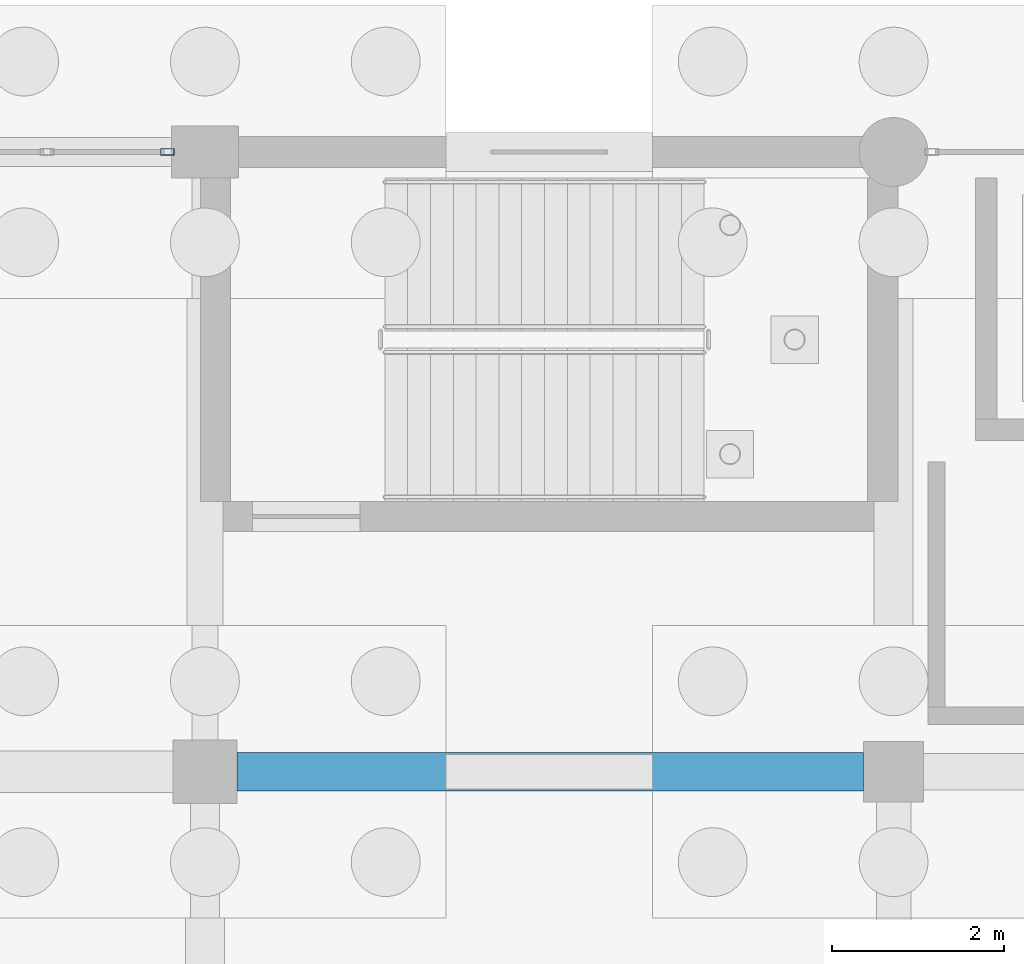
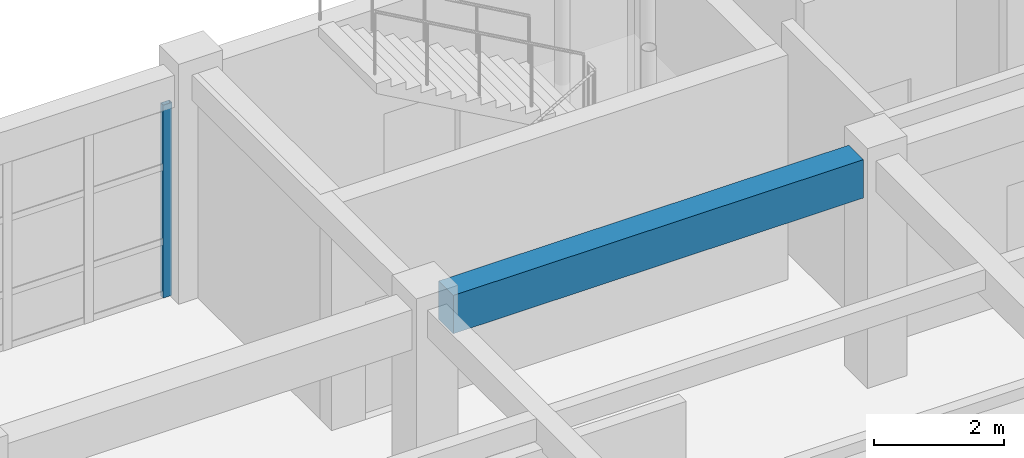
# One storey, part 73 of 166: 1 beam, 1 member, 1 element without a shape of its own.
"""IFC4 building model written with IfcOpenShell, lengths in metres."""

from ifc_helpers import new_model, si_unit, direction, frame, origin, origin_2d, place, context, subcontext, project, spatial, rectangle, hollow_rectangle, extrude, material, material_profile, profile_set, type_object, element, aggregate, save


model = new_model("IFC4")

# Units and contexts
model_context = context("Model", 3, precision=1e-05, world=origin(), true_north=direction((0.0, 1.0)))
body_context = subcontext(model_context, "Body", "Model", "MODEL_VIEW")
ifc_project = project(units=[si_unit("LENGTHUNIT", "METRE"), si_unit("AREAUNIT", "SQUARE_METRE"), si_unit("VOLUMEUNIT", "CUBIC_METRE"), si_unit("PLANEANGLEUNIT", "RADIAN"), si_unit("MASSUNIT", "GRAM", prefix="KILO")], contexts=[model_context])

# Site, building, storey
site_placement = place(None, origin())
site = spatial("IfcSite", under=ifc_project, at=site_placement, CompositionType="ELEMENT")
building_placement = place(site_placement, origin())
building = spatial("IfcBuilding", under=site, at=building_placement, Name="Kharva Crest Polytechnic", CompositionType="ELEMENT")
storey_placement = place(building_placement, origin())
storey = spatial("IfcBuildingStorey", under=building, at=storey_placement, Name="L00", CompositionType="ELEMENT", Elevation=0.0)

# Beam
ifc_material_1 = material(Name="Concrete C35/45", Category="concrete")
ifc_material_profile_1 = material_profile(ifc_material_1, rectangle(XDim=0.449951171875, YDim=0.719970703125, at=origin_2d()), Name="RECT 450 X 720")
ifc_profile_set_1 = profile_set([ifc_material_profile_1], Name="Concrete C35/45")
beam_type = type_object("IfcBeamType", Name="BM-RC-450X720", PredefinedType="BEAM", material=ifc_profile_set_1)
beam_placement = place(storey_placement, frame((104.3701171875, 114.800048828125, 3.860107421875), z_axis=(1.0, 0.0, 0.0), x_axis=(0.0, 1.0, 0.0)))
element("IfcBeam", 1, at=beam_placement, inside=storey, type_object=beam_type, Name="L00 Beam R/14-15", PredefinedType="BEAM", context=body_context, shape_type="SweptSolid", body=[
    extrude(rectangle(XDim=0.449951171875, YDim=0.719970703125, at=origin_2d()), origin(), (0.0, 0.0, 1.0), 7.27978515625),
])

# Curtain wall, member
ifc_material_2 = material(Name="Tempered insulated glass", Category="glass")
curtain_wall_type = type_object("IfcCurtainWallType", Name="CW-SYS-COURT", PredefinedType="USERDEFINED", material=ifc_material_2)
curtain_wall_placement = place(storey_placement, origin())
curtain_wall = element("IfcCurtainWall", 2, at=curtain_wall_placement, inside=storey, type_object=curtain_wall_type, Name="L00 Glazed Curtain Wall CW-026", ObjectType="CURTAIN WALL", PredefinedType="USERDEFINED")
ifc_material_3 = material(Name="Steel S355", Category="steel")
ifc_material_profile_2 = material_profile(ifc_material_3, hollow_rectangle(XDim=0.080078125, YDim=0.159912109375, WallThickness=0.0048828125, at=origin_2d()), Name="RHS 160X80X5.0")
ifc_profile_set_2 = profile_set([ifc_material_profile_2], Name="Steel S355")
member_type = type_object("IfcMemberType", Name="CWM-RHS160X80", PredefinedType="MULLION", material=ifc_profile_set_2)
member_placement = place(storey_placement, frame((103.56494140625, 122.0, 0.0), z_axis=(0.0, 0.0, 1.0), x_axis=(0.0, -1.0, 0.0)))
member = element("IfcMember", 3, at=member_placement, type_object=member_type, Name="CW-026 mullion 1", PredefinedType="MULLION", context=body_context, shape_type="SweptSolid", body=[
    extrude(hollow_rectangle(XDim=0.080078125, YDim=0.159912109375, WallThickness=0.0048828125, at=origin_2d()), origin(), (0.0, 0.0, 1.0), 3.6201171875),
])
aggregate(curtain_wall, [member])

save(model, "model.ifc")
